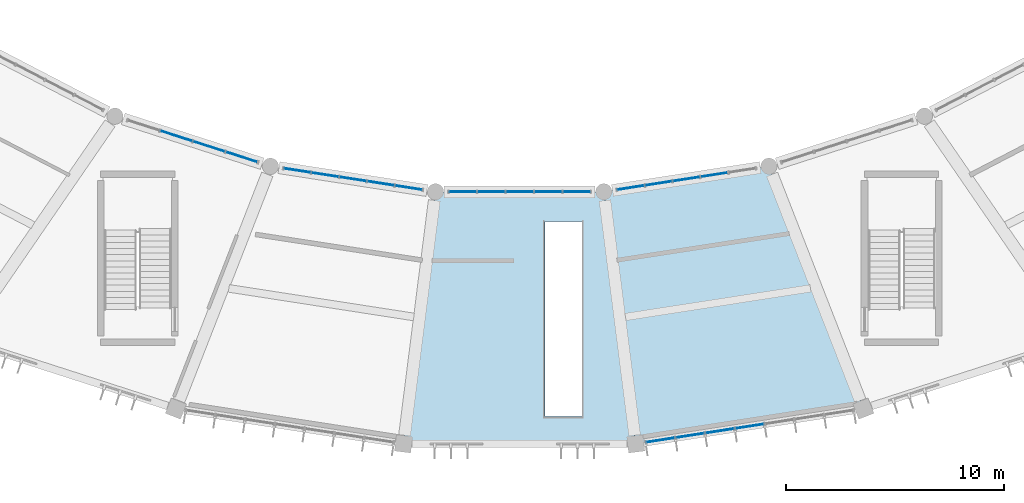
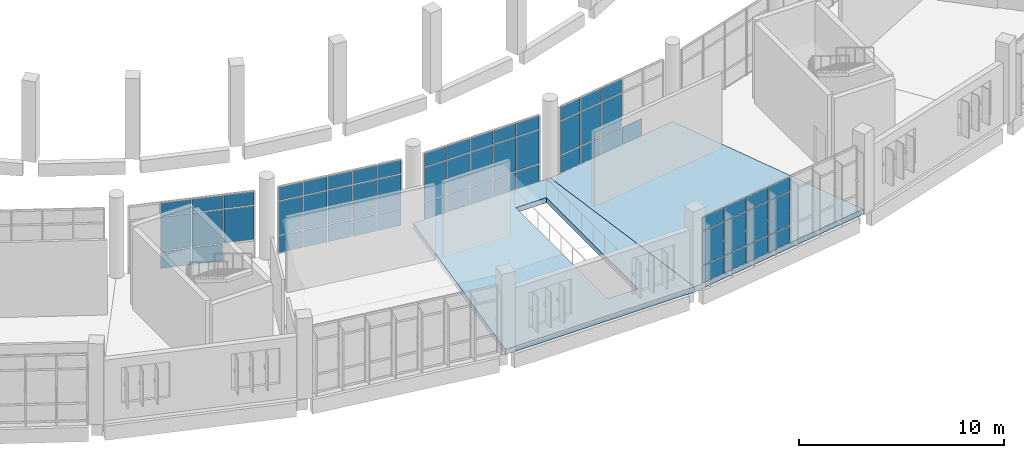
# One storey, part 87 of 179: 60 plates, 2 slabs, 5 elements without a shape of their own.
"""IFC4 building model written with IfcOpenShell, lengths in metres."""

from ifc_helpers import new_model, si_unit, direction, frame, origin, origin_2d, place, context, subcontext, project, spatial, polyline, rectangle, outline, extrude, material, layer, layer_set, type_object, element, aggregate, save


model = new_model("IFC4")

# Units and contexts
model_context = context("Model", 3, precision=1e-05, world=origin(), true_north=direction((0.0, 1.0)))
body_context = subcontext(model_context, "Body", "Model", "MODEL_VIEW")
ifc_project = project(units=[si_unit("LENGTHUNIT", "METRE"), si_unit("AREAUNIT", "SQUARE_METRE"), si_unit("VOLUMEUNIT", "CUBIC_METRE"), si_unit("PLANEANGLEUNIT", "RADIAN"), si_unit("MASSUNIT", "GRAM", prefix="KILO")], contexts=[model_context])

# Site, building, storey
site_placement = place(None, origin())
site = spatial("IfcSite", under=ifc_project, at=site_placement, CompositionType="ELEMENT")
building_placement = place(site_placement, origin())
building = spatial("IfcBuilding", under=site, at=building_placement, Name="Corvandel Quay Wholesale Market", CompositionType="ELEMENT")
storey_placement = place(building_placement, frame((0.0, 0.0, 6.0)))
storey = spatial("IfcBuildingStorey", under=building, at=storey_placement, Name="L01", CompositionType="ELEMENT", Elevation=6.0)

# Curtain wall, plates
ifc_material_1 = material(Name="Bronze anodised aluminium and low-E insulated glazing", Category="aluminium")
ifc_layer_1 = layer(ifc_material_1, 0.174072265625)
ifc_layer_set_1 = layer_set([ifc_layer_1], Name="Bronze anodised aluminium and low-E insulated glazing")
curtain_wall_type_1 = type_object("IfcCurtainWallType", Name="Stick Curtain Wall System CW12 H4080", PredefinedType="NOTDEFINED", material=ifc_layer_set_1)
curtain_wall_1_placement = place(storey_placement, origin())
curtain_wall_1 = element("IfcCurtainWall", 1, at=curtain_wall_1_placement, inside=storey, type_object=curtain_wall_type_1, Name="Curtain Wall CW-0064", PredefinedType="NOTDEFINED")
ifc_material_2 = material(Name="Solar-control low-E insulated glazing", Category="glass")
ifc_layer_2 = layer(ifc_material_2, 0.0400390625)
ifc_layer_set_2 = layer_set([ifc_layer_2], Name="Solar-control low-E insulated glazing")
plate_type_1 = type_object("IfcPlateType", Name="Ceramic Fritted Spandrel Panel PN03 40mm", PredefinedType="CURTAIN_PANEL", material=ifc_layer_set_2)
plate_1_placement = place(storey_placement, frame((98.270263671875, 14.10888671875, 3.1298828125), z_axis=(0.0, 0.0, 1.0), x_axis=(-0.951808747363, 0.306692204733, 0.0)))
plate_1 = element("IfcPlate", 2, at=plate_1_placement, type_object=plate_type_1, Name="Glazing Panel CW-0064-P01-2", PredefinedType="CURTAIN_PANEL", context=body_context, shape_type="SweptSolid", body=[
    extrude(rectangle(XDim=1.506103515625, YDim=0.0400390625, at=origin_2d()), origin(), (0.0, 0.0, 1.0), 0.7900390625),
])
plate_2_placement = place(storey_placement, frame((99.765625, 13.626953125, 3.1298828125), z_axis=(0.0, 0.0, 1.0), x_axis=(-0.951808747363, 0.306692204733, 0.0)))
plate_2 = element("IfcPlate", 3, at=plate_2_placement, type_object=plate_type_1, Name="Glazing Panel CW-0064-P02-2", PredefinedType="CURTAIN_PANEL", context=body_context, shape_type="SweptSolid", body=[
    extrude(rectangle(XDim=1.506103515625, YDim=0.0400390625, at=origin_2d()), origin(), (0.0, 0.0, 1.0), 0.7900390625),
])
plate_3_placement = place(storey_placement, frame((101.26123046875, 13.14501953125, 3.1298828125), z_axis=(0.0, 0.0, 1.0), x_axis=(-0.951808747363, 0.306692204733, 0.0)))
plate_3 = element("IfcPlate", 4, at=plate_3_placement, type_object=plate_type_1, Name="Glazing Panel CW-0064-P03-2", PredefinedType="CURTAIN_PANEL", context=body_context, shape_type="SweptSolid", body=[
    extrude(rectangle(XDim=1.506103515625, YDim=0.0400390625, at=origin_2d()), origin(), (0.0, 0.0, 1.0), 0.7900390625),
])

ifc_layer_3 = layer(ifc_material_1, 0.18603515625)
ifc_layer_set_3 = layer_set([ifc_layer_3], Name="Bronze anodised aluminium and low-E insulated glazing")
curtain_wall_type_2 = type_object("IfcCurtainWallType", Name="Stick Curtain Wall System CW13 H4170", PredefinedType="NOTDEFINED", material=ifc_layer_set_3)
curtain_wall_2_placement = place(storey_placement, origin())
curtain_wall_2 = element("IfcCurtainWall", 5, at=curtain_wall_2_placement, inside=storey, type_object=curtain_wall_type_2, Name="Curtain Wall CW-0067", PredefinedType="NOTDEFINED")
plate_4_placement = place(storey_placement, frame((103.810791015625, 12.529541015625, 3.1298828125), z_axis=(0.0, 0.0, 1.0), x_axis=(-0.98825506746, 0.152813355565, 0.0)))
plate_4 = element("IfcPlate", 6, at=plate_4_placement, type_object=plate_type_1, Name="Glazing Panel CW-0067-P00-2", PredefinedType="CURTAIN_PANEL", context=body_context, shape_type="SweptSolid", body=[
    extrude(rectangle(XDim=1.225830078125, YDim=0.0400390625, at=origin_2d()), origin(), (0.0, 0.0, 1.0), 0.7900390625),
])
plate_5_placement = place(storey_placement, frame((105.08642578125, 12.332275390625, 3.1298828125), z_axis=(0.0, 0.0, 1.0), x_axis=(-0.98825506746, 0.152813355565, 0.0)))
plate_5 = element("IfcPlate", 7, at=plate_5_placement, type_object=plate_type_1, Name="Glazing Panel CW-0067-P01-2", PredefinedType="CURTAIN_PANEL", context=body_context, shape_type="SweptSolid", body=[
    extrude(rectangle(XDim=1.225830078125, YDim=0.0400390625, at=origin_2d()), origin(), (0.0, 0.0, 1.0), 0.7900390625),
])
plate_6_placement = place(storey_placement, frame((106.362060546875, 12.135009765625, 3.1298828125), z_axis=(0.0, 0.0, 1.0), x_axis=(-0.98825506746, 0.152813355565, 0.0)))
plate_6 = element("IfcPlate", 8, at=plate_6_placement, type_object=plate_type_1, Name="Glazing Panel CW-0067-P02-2", PredefinedType="CURTAIN_PANEL", context=body_context, shape_type="SweptSolid", body=[
    extrude(rectangle(XDim=1.225830078125, YDim=0.0400390625, at=origin_2d()), origin(), (0.0, 0.0, 1.0), 0.7900390625),
])
plate_7_placement = place(storey_placement, frame((107.6376953125, 11.937744140625, 3.1298828125), z_axis=(0.0, 0.0, 1.0), x_axis=(-0.98825506746, 0.152813355565, 0.0)))
plate_7 = element("IfcPlate", 9, at=plate_7_placement, type_object=plate_type_1, Name="Glazing Panel CW-0067-P03-2", PredefinedType="CURTAIN_PANEL", context=body_context, shape_type="SweptSolid", body=[
    extrude(rectangle(XDim=1.225830078125, YDim=0.0400390625, at=origin_2d()), origin(), (0.0, 0.0, 1.0), 0.7900390625),
])
plate_8_placement = place(storey_placement, frame((108.9130859375, 11.740478515625, 3.1298828125), z_axis=(0.0, 0.0, 1.0), x_axis=(-0.98825506746, 0.152813355565, 0.0)))
plate_8 = element("IfcPlate", 10, at=plate_8_placement, type_object=plate_type_1, Name="Glazing Panel CW-0067-P04-2", PredefinedType="CURTAIN_PANEL", context=body_context, shape_type="SweptSolid", body=[
    extrude(rectangle(XDim=1.225830078125, YDim=0.0400390625, at=origin_2d()), origin(), (0.0, 0.0, 1.0), 0.7900390625),
])

ifc_layer_4 = layer(ifc_material_1, 0.197998046875)
ifc_layer_set_4 = layer_set([ifc_layer_4], Name="Bronze anodised aluminium and low-E insulated glazing")
curtain_wall_type_3 = type_object("IfcCurtainWallType", Name="Stick Curtain Wall System CW14 H4260", PredefinedType="NOTDEFINED", material=ifc_layer_set_4)
curtain_wall_3_placement = place(storey_placement, origin())
curtain_wall_3 = element("IfcCurtainWall", 11, at=curtain_wall_3_placement, inside=storey, type_object=curtain_wall_type_3, Name="Curtain Wall CW-0069", PredefinedType="NOTDEFINED")
plate_9_placement = place(storey_placement, frame((111.395263671875, 11.550048828125, 3.1298828125), z_axis=(0.0, 0.0, 1.0), x_axis=(1.0, 0.0, 0.0)))
plate_9 = element("IfcPlate", 12, at=plate_9_placement, type_object=plate_type_1, Name="Glazing Panel CW-0069-P00-2", PredefinedType="CURTAIN_PANEL", context=body_context, shape_type="SweptSolid", body=[
    extrude(rectangle(XDim=1.2373046875, YDim=0.0400390625, at=origin_2d()), origin(), (0.0, 0.0, 1.0), 0.7900390625),
])
plate_10_placement = place(storey_placement, frame((112.697509765625, 11.550048828125, 3.1298828125), z_axis=(0.0, 0.0, 1.0), x_axis=(1.0, 0.0, 0.0)))
plate_10 = element("IfcPlate", 13, at=plate_10_placement, type_object=plate_type_1, Name="Glazing Panel CW-0069-P01-2", PredefinedType="CURTAIN_PANEL", context=body_context, shape_type="SweptSolid", body=[
    extrude(rectangle(XDim=1.2373046875, YDim=0.0400390625, at=origin_2d()), origin(), (0.0, 0.0, 1.0), 0.7900390625),
])
plate_11_placement = place(storey_placement, frame((114.0, 11.550048828125, 3.1298828125), z_axis=(0.0, 0.0, 1.0), x_axis=(1.0, 0.0, 0.0)))
plate_11 = element("IfcPlate", 14, at=plate_11_placement, type_object=plate_type_1, Name="Glazing Panel CW-0069-P02-2", PredefinedType="CURTAIN_PANEL", context=body_context, shape_type="SweptSolid", body=[
    extrude(rectangle(XDim=1.2373046875, YDim=0.0400390625, at=origin_2d()), origin(), (0.0, 0.0, 1.0), 0.7900390625),
])
plate_12_placement = place(storey_placement, frame((115.302490234375, 11.550048828125, 3.1298828125), z_axis=(0.0, 0.0, 1.0), x_axis=(1.0, 0.0, 0.0)))
plate_12 = element("IfcPlate", 15, at=plate_12_placement, type_object=plate_type_1, Name="Glazing Panel CW-0069-P03-2", PredefinedType="CURTAIN_PANEL", context=body_context, shape_type="SweptSolid", body=[
    extrude(rectangle(XDim=1.2373046875, YDim=0.0400390625, at=origin_2d()), origin(), (0.0, 0.0, 1.0), 0.7900390625),
])
plate_13_placement = place(storey_placement, frame((116.604736328125, 11.550048828125, 3.1298828125), z_axis=(0.0, 0.0, 1.0), x_axis=(1.0, 0.0, 0.0)))
plate_13 = element("IfcPlate", 16, at=plate_13_placement, type_object=plate_type_1, Name="Glazing Panel CW-0069-P04-2", PredefinedType="CURTAIN_PANEL", context=body_context, shape_type="SweptSolid", body=[
    extrude(rectangle(XDim=1.2373046875, YDim=0.0400390625, at=origin_2d()), origin(), (0.0, 0.0, 1.0), 0.7900390625),
])

ifc_layer_5 = layer(ifc_material_1, 0.162109375)
ifc_layer_set_5 = layer_set([ifc_layer_5], Name="Bronze anodised aluminium and low-E insulated glazing")
curtain_wall_type_4 = type_object("IfcCurtainWallType", Name="Stick Curtain Wall System CW01 H3090", PredefinedType="NOTDEFINED", material=ifc_layer_set_5)
curtain_wall_4_placement = place(storey_placement, origin())
curtain_wall_4 = element("IfcCurtainWall", 17, at=curtain_wall_4_placement, inside=storey, type_object=curtain_wall_type_4, Name="Curtain Wall CW-0071", PredefinedType="NOTDEFINED")
plate_14_placement = place(storey_placement, frame((120.4453125, 0.17431640625, 3.1298828125), z_axis=(0.0, 0.0, 1.0), x_axis=(0.98825506746, 0.152813355565, 0.0)))
plate_14 = element("IfcPlate", 18, at=plate_14_placement, type_object=plate_type_1, Name="Glazing Panel CW-0071-P00-2", PredefinedType="CURTAIN_PANEL", context=body_context, shape_type="SweptSolid", body=[
    extrude(rectangle(XDim=1.314453125, YDim=0.0400390625, at=origin_2d()), origin(), (0.0, 0.0, 1.0), 0.7900390625),
])
plate_15_placement = place(storey_placement, frame((121.80859375, 0.38525390625, 3.1298828125), z_axis=(0.0, 0.0, 1.0), x_axis=(0.98825506746, 0.152813355565, 0.0)))
plate_15 = element("IfcPlate", 19, at=plate_15_placement, type_object=plate_type_1, Name="Glazing Panel CW-0071-P01-2", PredefinedType="CURTAIN_PANEL", context=body_context, shape_type="SweptSolid", body=[
    extrude(rectangle(XDim=1.314453125, YDim=0.0400390625, at=origin_2d()), origin(), (0.0, 0.0, 1.0), 0.7900390625),
])
plate_16_placement = place(storey_placement, frame((123.171875, 0.59619140625, 3.1298828125), z_axis=(0.0, 0.0, 1.0), x_axis=(0.98825506746, 0.152813355565, 0.0)))
plate_16 = element("IfcPlate", 20, at=plate_16_placement, type_object=plate_type_1, Name="Glazing Panel CW-0071-P02-2", PredefinedType="CURTAIN_PANEL", context=body_context, shape_type="SweptSolid", body=[
    extrude(rectangle(XDim=1.314453125, YDim=0.0400390625, at=origin_2d()), origin(), (0.0, 0.0, 1.0), 0.7900390625),
])
plate_17_placement = place(storey_placement, frame((124.534912109375, 0.806884765625, 3.1298828125), z_axis=(0.0, 0.0, 1.0), x_axis=(0.98825506746, 0.152813355565, 0.0)))
plate_17 = element("IfcPlate", 21, at=plate_17_placement, type_object=plate_type_1, Name="Glazing Panel CW-0071-P03-2", PredefinedType="CURTAIN_PANEL", context=body_context, shape_type="SweptSolid", body=[
    extrude(rectangle(XDim=1.314453125, YDim=0.0400390625, at=origin_2d()), origin(), (0.0, 0.0, 1.0), 0.7900390625),
])

ifc_layer_6 = layer(ifc_material_1, 0.14990234375)
ifc_layer_set_6 = layer_set([ifc_layer_6], Name="Bronze anodised aluminium and low-E insulated glazing")
curtain_wall_type_5 = type_object("IfcCurtainWallType", Name="Stick Curtain Wall System CW15 H4350", PredefinedType="NOTDEFINED", material=ifc_layer_set_6)
curtain_wall_5_placement = place(storey_placement, origin())
curtain_wall_5 = element("IfcCurtainWall", 22, at=curtain_wall_5_placement, inside=storey, type_object=curtain_wall_type_5, Name="Curtain Wall CW-0073", PredefinedType="NOTDEFINED")
plate_18_placement = place(storey_placement, frame((119.0869140625, 11.740478515625, 3.1298828125), z_axis=(0.0, 0.0, 1.0), x_axis=(0.98825506746, 0.152813355565, 0.0)))
plate_18 = element("IfcPlate", 23, at=plate_18_placement, type_object=plate_type_1, Name="Glazing Panel CW-0073-P00-2", PredefinedType="CURTAIN_PANEL", context=body_context, shape_type="SweptSolid", body=[
    extrude(rectangle(XDim=1.225830078125, YDim=0.0400390625, at=origin_2d()), origin(), (0.0, 0.0, 1.0), 0.7900390625),
])
plate_19_placement = place(storey_placement, frame((120.3623046875, 11.937744140625, 3.1298828125), z_axis=(0.0, 0.0, 1.0), x_axis=(0.98825506746, 0.152813355565, 0.0)))
plate_19 = element("IfcPlate", 24, at=plate_19_placement, type_object=plate_type_1, Name="Glazing Panel CW-0073-P01-2", PredefinedType="CURTAIN_PANEL", context=body_context, shape_type="SweptSolid", body=[
    extrude(rectangle(XDim=1.225830078125, YDim=0.0400390625, at=origin_2d()), origin(), (0.0, 0.0, 1.0), 0.7900390625),
])
plate_20_placement = place(storey_placement, frame((121.637939453125, 12.135009765625, 3.1298828125), z_axis=(0.0, 0.0, 1.0), x_axis=(0.98825506746, 0.152813355565, 0.0)))
plate_20 = element("IfcPlate", 25, at=plate_20_placement, type_object=plate_type_1, Name="Glazing Panel CW-0073-P02-2", PredefinedType="CURTAIN_PANEL", context=body_context, shape_type="SweptSolid", body=[
    extrude(rectangle(XDim=1.225830078125, YDim=0.0400390625, at=origin_2d()), origin(), (0.0, 0.0, 1.0), 0.7900390625),
])

# Slabs
ifc_material_3 = material(Name="Concrete C40/50", Category="concrete")
ifc_layer_7 = layer(ifc_material_3, 0.300048828125)
ifc_layer_set_7 = layer_set([ifc_layer_7], Name="Concrete C40/50")
slab_type = type_object("IfcSlabType", Name="Composite Trading Gallery Floor Slab 300", PredefinedType="FLOOR", material=ifc_layer_set_7)
slab_1_placement = place(storey_placement, frame((0.0, 0.0, -0.300048828125)))
element("IfcSlab", 26, at=slab_1_placement, inside=storey, type_object=slab_type, Name="Slab SLB-0112", PredefinedType="FLOOR", context=body_context, shape_type="SweptSolid", body=[
    extrude(outline(polyline([(110.14404296875, 11.550048828125), (117.85595703125, 11.550048828125), (119.319091796875, 0.0), (108.680908203125, 0.0), (110.14404296875, 11.550048828125)]), holes=[polyline([(116.85009765625, 1.25), (116.85009765625, 10.179931640625), (115.14990234375, 10.179931640625), (115.14990234375, 1.25), (116.85009765625, 1.25)])]), origin(), (0.0, 0.0, 1.0), 0.300048828125),
])
slab_2_placement = place(storey_placement, frame((0.0, 0.0, -0.300048828125)))
element("IfcSlab", 27, at=slab_2_placement, inside=storey, type_object=slab_type, Name="Slab SLB-0116", PredefinedType="FLOOR", context=body_context, shape_type="SweptSolid", body=[
    extrude(outline(polyline([(117.85595703125, 11.550048828125), (125.419921875, 12.719970703125), (129.7509765625, 1.614013671875), (119.319091796875, 0.0), (117.85595703125, 11.550048828125)])), origin(), (0.0, 0.0, 1.0), 0.300048828125),
])

# Plate
ifc_layer_8 = layer(ifc_material_2, 0.028076171875)
ifc_layer_set_8 = layer_set([ifc_layer_8], Name="Solar-control low-E insulated glazing")
plate_type_2 = type_object("IfcPlateType", Name="Double Low-E Vision Panel PN01 28mm", PredefinedType="CURTAIN_PANEL", material=ifc_layer_set_8)
plate_21_placement = place(storey_placement, frame((98.270263671875, 14.10888671875, 0.02978515625), z_axis=(0.0, 0.0, 1.0), x_axis=(-0.951808747363, 0.306692204733, 0.0)))
plate_21 = element("IfcPlate", 28, at=plate_21_placement, type_object=plate_type_2, Name="Glazing Panel CW-0064-P01-0", PredefinedType="CURTAIN_PANEL", context=body_context, shape_type="SweptSolid", body=[
    extrude(rectangle(XDim=1.506103515625, YDim=0.028076171875, at=origin_2d()), origin(), (0.0, 0.0, 1.0), 0.989990234375),
])

plate_22_placement = place(storey_placement, frame((98.270263671875, 14.10888671875, 1.080078125), z_axis=(0.0, 0.0, 1.0), x_axis=(-0.951808747363, 0.306692204733, 0.0)))
plate_22 = element("IfcPlate", 29, at=plate_22_placement, type_object=plate_type_2, Name="Glazing Panel CW-0064-P01-1", PredefinedType="CURTAIN_PANEL", context=body_context, shape_type="SweptSolid", body=[
    extrude(rectangle(XDim=1.506103515625, YDim=0.028076171875, at=origin_2d()), origin(), (0.0, 0.0, 1.0), 1.989990234375),
])

plate_23_placement = place(storey_placement, frame((99.765625, 13.626953125, 0.02978515625), z_axis=(0.0, 0.0, 1.0), x_axis=(-0.951808747363, 0.306692204733, 0.0)))
plate_23 = element("IfcPlate", 30, at=plate_23_placement, type_object=plate_type_2, Name="Glazing Panel CW-0064-P02-0", PredefinedType="CURTAIN_PANEL", context=body_context, shape_type="SweptSolid", body=[
    extrude(rectangle(XDim=1.506103515625, YDim=0.028076171875, at=origin_2d()), origin(), (0.0, 0.0, 1.0), 0.989990234375),
])

plate_24_placement = place(storey_placement, frame((99.765625, 13.626953125, 1.080078125), z_axis=(0.0, 0.0, 1.0), x_axis=(-0.951808747363, 0.306692204733, 0.0)))
plate_24 = element("IfcPlate", 31, at=plate_24_placement, type_object=plate_type_2, Name="Glazing Panel CW-0064-P02-1", PredefinedType="CURTAIN_PANEL", context=body_context, shape_type="SweptSolid", body=[
    extrude(rectangle(XDim=1.506103515625, YDim=0.028076171875, at=origin_2d()), origin(), (0.0, 0.0, 1.0), 1.989990234375),
])

plate_25_placement = place(storey_placement, frame((101.26123046875, 13.14501953125, 1.080078125), z_axis=(0.0, 0.0, 1.0), x_axis=(-0.951808747363, 0.306692204733, 0.0)))
plate_25 = element("IfcPlate", 32, at=plate_25_placement, type_object=plate_type_2, Name="Glazing Panel CW-0064-P03-1", PredefinedType="CURTAIN_PANEL", context=body_context, shape_type="SweptSolid", body=[
    extrude(rectangle(XDim=1.506103515625, YDim=0.028076171875, at=origin_2d()), origin(), (0.0, 0.0, 1.0), 1.989990234375),
])

aggregate(curtain_wall_1, [plate_21, plate_22, plate_1, plate_23, plate_24, plate_2, plate_25, plate_3])

plate_26_placement = place(storey_placement, frame((103.810791015625, 12.529541015625, 0.02978515625), z_axis=(0.0, 0.0, 1.0), x_axis=(-0.98825506746, 0.152813355565, 0.0)))
plate_26 = element("IfcPlate", 33, at=plate_26_placement, type_object=plate_type_2, Name="Glazing Panel CW-0067-P00-0", PredefinedType="CURTAIN_PANEL", context=body_context, shape_type="SweptSolid", body=[
    extrude(rectangle(XDim=1.225830078125, YDim=0.028076171875, at=origin_2d()), origin(), (0.0, 0.0, 1.0), 0.989990234375),
])

plate_27_placement = place(storey_placement, frame((103.810791015625, 12.529541015625, 1.080078125), z_axis=(0.0, 0.0, 1.0), x_axis=(-0.98825506746, 0.152813355565, 0.0)))
plate_27 = element("IfcPlate", 34, at=plate_27_placement, type_object=plate_type_2, Name="Glazing Panel CW-0067-P00-1", PredefinedType="CURTAIN_PANEL", context=body_context, shape_type="SweptSolid", body=[
    extrude(rectangle(XDim=1.225830078125, YDim=0.028076171875, at=origin_2d()), origin(), (0.0, 0.0, 1.0), 1.989990234375),
])

plate_28_placement = place(storey_placement, frame((105.08642578125, 12.332275390625, 0.02978515625), z_axis=(0.0, 0.0, 1.0), x_axis=(-0.98825506746, 0.152813355565, 0.0)))
plate_28 = element("IfcPlate", 35, at=plate_28_placement, type_object=plate_type_2, Name="Glazing Panel CW-0067-P01-0", PredefinedType="CURTAIN_PANEL", context=body_context, shape_type="SweptSolid", body=[
    extrude(rectangle(XDim=1.225830078125, YDim=0.028076171875, at=origin_2d()), origin(), (0.0, 0.0, 1.0), 0.989990234375),
])

plate_29_placement = place(storey_placement, frame((105.08642578125, 12.332275390625, 1.080078125), z_axis=(0.0, 0.0, 1.0), x_axis=(-0.98825506746, 0.152813355565, 0.0)))
plate_29 = element("IfcPlate", 36, at=plate_29_placement, type_object=plate_type_2, Name="Glazing Panel CW-0067-P01-1", PredefinedType="CURTAIN_PANEL", context=body_context, shape_type="SweptSolid", body=[
    extrude(rectangle(XDim=1.225830078125, YDim=0.028076171875, at=origin_2d()), origin(), (0.0, 0.0, 1.0), 1.989990234375),
])

plate_30_placement = place(storey_placement, frame((106.362060546875, 12.135009765625, 0.02978515625), z_axis=(0.0, 0.0, 1.0), x_axis=(-0.98825506746, 0.152813355565, 0.0)))
plate_30 = element("IfcPlate", 37, at=plate_30_placement, type_object=plate_type_2, Name="Glazing Panel CW-0067-P02-0", PredefinedType="CURTAIN_PANEL", context=body_context, shape_type="SweptSolid", body=[
    extrude(rectangle(XDim=1.225830078125, YDim=0.028076171875, at=origin_2d()), origin(), (0.0, 0.0, 1.0), 0.989990234375),
])

plate_31_placement = place(storey_placement, frame((106.362060546875, 12.135009765625, 1.080078125), z_axis=(0.0, 0.0, 1.0), x_axis=(-0.98825506746, 0.152813355565, 0.0)))
plate_31 = element("IfcPlate", 38, at=plate_31_placement, type_object=plate_type_2, Name="Glazing Panel CW-0067-P02-1", PredefinedType="CURTAIN_PANEL", context=body_context, shape_type="SweptSolid", body=[
    extrude(rectangle(XDim=1.225830078125, YDim=0.028076171875, at=origin_2d()), origin(), (0.0, 0.0, 1.0), 1.989990234375),
])

plate_32_placement = place(storey_placement, frame((107.6376953125, 11.937744140625, 0.02978515625), z_axis=(0.0, 0.0, 1.0), x_axis=(-0.98825506746, 0.152813355565, 0.0)))
plate_32 = element("IfcPlate", 39, at=plate_32_placement, type_object=plate_type_2, Name="Glazing Panel CW-0067-P03-0", PredefinedType="CURTAIN_PANEL", context=body_context, shape_type="SweptSolid", body=[
    extrude(rectangle(XDim=1.225830078125, YDim=0.028076171875, at=origin_2d()), origin(), (0.0, 0.0, 1.0), 0.989990234375),
])

plate_33_placement = place(storey_placement, frame((107.6376953125, 11.937744140625, 1.080078125), z_axis=(0.0, 0.0, 1.0), x_axis=(-0.98825506746, 0.152813355565, 0.0)))
plate_33 = element("IfcPlate", 40, at=plate_33_placement, type_object=plate_type_2, Name="Glazing Panel CW-0067-P03-1", PredefinedType="CURTAIN_PANEL", context=body_context, shape_type="SweptSolid", body=[
    extrude(rectangle(XDim=1.225830078125, YDim=0.028076171875, at=origin_2d()), origin(), (0.0, 0.0, 1.0), 1.989990234375),
])

plate_34_placement = place(storey_placement, frame((108.9130859375, 11.740478515625, 0.02978515625), z_axis=(0.0, 0.0, 1.0), x_axis=(-0.98825506746, 0.152813355565, 0.0)))
plate_34 = element("IfcPlate", 41, at=plate_34_placement, type_object=plate_type_2, Name="Glazing Panel CW-0067-P04-0", PredefinedType="CURTAIN_PANEL", context=body_context, shape_type="SweptSolid", body=[
    extrude(rectangle(XDim=1.225830078125, YDim=0.028076171875, at=origin_2d()), origin(), (0.0, 0.0, 1.0), 0.989990234375),
])

plate_35_placement = place(storey_placement, frame((108.9130859375, 11.740478515625, 1.080078125), z_axis=(0.0, 0.0, 1.0), x_axis=(-0.98825506746, 0.152813355565, 0.0)))
plate_35 = element("IfcPlate", 42, at=plate_35_placement, type_object=plate_type_2, Name="Glazing Panel CW-0067-P04-1", PredefinedType="CURTAIN_PANEL", context=body_context, shape_type="SweptSolid", body=[
    extrude(rectangle(XDim=1.225830078125, YDim=0.028076171875, at=origin_2d()), origin(), (0.0, 0.0, 1.0), 1.989990234375),
])

aggregate(curtain_wall_2, [plate_26, plate_27, plate_4, plate_28, plate_29, plate_5, plate_30, plate_31, plate_6, plate_32, plate_33, plate_7, plate_34, plate_35, plate_8])

plate_36_placement = place(storey_placement, frame((111.395263671875, 11.550048828125, 0.02978515625), z_axis=(0.0, 0.0, 1.0), x_axis=(1.0, 0.0, 0.0)))
plate_36 = element("IfcPlate", 43, at=plate_36_placement, type_object=plate_type_2, Name="Glazing Panel CW-0069-P00-0", PredefinedType="CURTAIN_PANEL", context=body_context, shape_type="SweptSolid", body=[
    extrude(rectangle(XDim=1.2373046875, YDim=0.028076171875, at=origin_2d()), origin(), (0.0, 0.0, 1.0), 0.989990234375),
])

plate_37_placement = place(storey_placement, frame((111.395263671875, 11.550048828125, 1.080078125), z_axis=(0.0, 0.0, 1.0), x_axis=(1.0, 0.0, 0.0)))
plate_37 = element("IfcPlate", 44, at=plate_37_placement, type_object=plate_type_2, Name="Glazing Panel CW-0069-P00-1", PredefinedType="CURTAIN_PANEL", context=body_context, shape_type="SweptSolid", body=[
    extrude(rectangle(XDim=1.2373046875, YDim=0.028076171875, at=origin_2d()), origin(), (0.0, 0.0, 1.0), 1.989990234375),
])

plate_38_placement = place(storey_placement, frame((112.697509765625, 11.550048828125, 0.02978515625), z_axis=(0.0, 0.0, 1.0), x_axis=(1.0, 0.0, 0.0)))
plate_38 = element("IfcPlate", 45, at=plate_38_placement, type_object=plate_type_2, Name="Glazing Panel CW-0069-P01-0", PredefinedType="CURTAIN_PANEL", context=body_context, shape_type="SweptSolid", body=[
    extrude(rectangle(XDim=1.2373046875, YDim=0.028076171875, at=origin_2d()), origin(), (0.0, 0.0, 1.0), 0.989990234375),
])

plate_39_placement = place(storey_placement, frame((112.697509765625, 11.550048828125, 1.080078125), z_axis=(0.0, 0.0, 1.0), x_axis=(1.0, 0.0, 0.0)))
plate_39 = element("IfcPlate", 46, at=plate_39_placement, type_object=plate_type_2, Name="Glazing Panel CW-0069-P01-1", PredefinedType="CURTAIN_PANEL", context=body_context, shape_type="SweptSolid", body=[
    extrude(rectangle(XDim=1.2373046875, YDim=0.028076171875, at=origin_2d()), origin(), (0.0, 0.0, 1.0), 1.989990234375),
])

plate_40_placement = place(storey_placement, frame((114.0, 11.550048828125, 0.02978515625), z_axis=(0.0, 0.0, 1.0), x_axis=(1.0, 0.0, 0.0)))
plate_40 = element("IfcPlate", 47, at=plate_40_placement, type_object=plate_type_2, Name="Glazing Panel CW-0069-P02-0", PredefinedType="CURTAIN_PANEL", context=body_context, shape_type="SweptSolid", body=[
    extrude(rectangle(XDim=1.2373046875, YDim=0.028076171875, at=origin_2d()), origin(), (0.0, 0.0, 1.0), 0.989990234375),
])

plate_41_placement = place(storey_placement, frame((114.0, 11.550048828125, 1.080078125), z_axis=(0.0, 0.0, 1.0), x_axis=(1.0, 0.0, 0.0)))
plate_41 = element("IfcPlate", 48, at=plate_41_placement, type_object=plate_type_2, Name="Glazing Panel CW-0069-P02-1", PredefinedType="CURTAIN_PANEL", context=body_context, shape_type="SweptSolid", body=[
    extrude(rectangle(XDim=1.2373046875, YDim=0.028076171875, at=origin_2d()), origin(), (0.0, 0.0, 1.0), 1.989990234375),
])

plate_42_placement = place(storey_placement, frame((115.302490234375, 11.550048828125, 0.02978515625), z_axis=(0.0, 0.0, 1.0), x_axis=(1.0, 0.0, 0.0)))
plate_42 = element("IfcPlate", 49, at=plate_42_placement, type_object=plate_type_2, Name="Glazing Panel CW-0069-P03-0", PredefinedType="CURTAIN_PANEL", context=body_context, shape_type="SweptSolid", body=[
    extrude(rectangle(XDim=1.2373046875, YDim=0.028076171875, at=origin_2d()), origin(), (0.0, 0.0, 1.0), 0.989990234375),
])

plate_43_placement = place(storey_placement, frame((115.302490234375, 11.550048828125, 1.080078125), z_axis=(0.0, 0.0, 1.0), x_axis=(1.0, 0.0, 0.0)))
plate_43 = element("IfcPlate", 50, at=plate_43_placement, type_object=plate_type_2, Name="Glazing Panel CW-0069-P03-1", PredefinedType="CURTAIN_PANEL", context=body_context, shape_type="SweptSolid", body=[
    extrude(rectangle(XDim=1.2373046875, YDim=0.028076171875, at=origin_2d()), origin(), (0.0, 0.0, 1.0), 1.989990234375),
])

plate_44_placement = place(storey_placement, frame((116.604736328125, 11.550048828125, 0.02978515625), z_axis=(0.0, 0.0, 1.0), x_axis=(1.0, 0.0, 0.0)))
plate_44 = element("IfcPlate", 51, at=plate_44_placement, type_object=plate_type_2, Name="Glazing Panel CW-0069-P04-0", PredefinedType="CURTAIN_PANEL", context=body_context, shape_type="SweptSolid", body=[
    extrude(rectangle(XDim=1.2373046875, YDim=0.028076171875, at=origin_2d()), origin(), (0.0, 0.0, 1.0), 0.989990234375),
])

plate_45_placement = place(storey_placement, frame((116.604736328125, 11.550048828125, 1.080078125), z_axis=(0.0, 0.0, 1.0), x_axis=(1.0, 0.0, 0.0)))
plate_45 = element("IfcPlate", 52, at=plate_45_placement, type_object=plate_type_2, Name="Glazing Panel CW-0069-P04-1", PredefinedType="CURTAIN_PANEL", context=body_context, shape_type="SweptSolid", body=[
    extrude(rectangle(XDim=1.2373046875, YDim=0.028076171875, at=origin_2d()), origin(), (0.0, 0.0, 1.0), 1.989990234375),
])

aggregate(curtain_wall_3, [plate_36, plate_37, plate_9, plate_38, plate_39, plate_10, plate_40, plate_41, plate_11, plate_42, plate_43, plate_12, plate_44, plate_45, plate_13])

plate_46_placement = place(storey_placement, frame((120.4453125, 0.17431640625, 0.02978515625), z_axis=(0.0, 0.0, 1.0), x_axis=(0.98825506746, 0.152813355565, 0.0)))
plate_46 = element("IfcPlate", 53, at=plate_46_placement, type_object=plate_type_2, Name="Glazing Panel CW-0071-P00-0", PredefinedType="CURTAIN_PANEL", context=body_context, shape_type="SweptSolid", body=[
    extrude(rectangle(XDim=1.314453125, YDim=0.028076171875, at=origin_2d()), origin(), (0.0, 0.0, 1.0), 0.989990234375),
])

plate_47_placement = place(storey_placement, frame((120.4453125, 0.17431640625, 1.080078125), z_axis=(0.0, 0.0, 1.0), x_axis=(0.98825506746, 0.152813355565, 0.0)))
plate_47 = element("IfcPlate", 54, at=plate_47_placement, type_object=plate_type_2, Name="Glazing Panel CW-0071-P00-1", PredefinedType="CURTAIN_PANEL", context=body_context, shape_type="SweptSolid", body=[
    extrude(rectangle(XDim=1.314453125, YDim=0.028076171875, at=origin_2d()), origin(), (0.0, 0.0, 1.0), 1.989990234375),
])

plate_48_placement = place(storey_placement, frame((121.80859375, 0.38525390625, 0.02978515625), z_axis=(0.0, 0.0, 1.0), x_axis=(0.98825506746, 0.152813355565, 0.0)))
plate_48 = element("IfcPlate", 55, at=plate_48_placement, type_object=plate_type_2, Name="Glazing Panel CW-0071-P01-0", PredefinedType="CURTAIN_PANEL", context=body_context, shape_type="SweptSolid", body=[
    extrude(rectangle(XDim=1.314453125, YDim=0.028076171875, at=origin_2d()), origin(), (0.0, 0.0, 1.0), 0.989990234375),
])

plate_49_placement = place(storey_placement, frame((121.80859375, 0.38525390625, 1.080078125), z_axis=(0.0, 0.0, 1.0), x_axis=(0.98825506746, 0.152813355565, 0.0)))
plate_49 = element("IfcPlate", 56, at=plate_49_placement, type_object=plate_type_2, Name="Glazing Panel CW-0071-P01-1", PredefinedType="CURTAIN_PANEL", context=body_context, shape_type="SweptSolid", body=[
    extrude(rectangle(XDim=1.314453125, YDim=0.028076171875, at=origin_2d()), origin(), (0.0, 0.0, 1.0), 1.989990234375),
])

plate_50_placement = place(storey_placement, frame((123.171875, 0.59619140625, 0.02978515625), z_axis=(0.0, 0.0, 1.0), x_axis=(0.98825506746, 0.152813355565, 0.0)))
plate_50 = element("IfcPlate", 57, at=plate_50_placement, type_object=plate_type_2, Name="Glazing Panel CW-0071-P02-0", PredefinedType="CURTAIN_PANEL", context=body_context, shape_type="SweptSolid", body=[
    extrude(rectangle(XDim=1.314453125, YDim=0.028076171875, at=origin_2d()), origin(), (0.0, 0.0, 1.0), 0.989990234375),
])

plate_51_placement = place(storey_placement, frame((123.171875, 0.59619140625, 1.080078125), z_axis=(0.0, 0.0, 1.0), x_axis=(0.98825506746, 0.152813355565, 0.0)))
plate_51 = element("IfcPlate", 58, at=plate_51_placement, type_object=plate_type_2, Name="Glazing Panel CW-0071-P02-1", PredefinedType="CURTAIN_PANEL", context=body_context, shape_type="SweptSolid", body=[
    extrude(rectangle(XDim=1.314453125, YDim=0.028076171875, at=origin_2d()), origin(), (0.0, 0.0, 1.0), 1.989990234375),
])

plate_52_placement = place(storey_placement, frame((124.534912109375, 0.806884765625, 0.02978515625), z_axis=(0.0, 0.0, 1.0), x_axis=(0.98825506746, 0.152813355565, 0.0)))
plate_52 = element("IfcPlate", 59, at=plate_52_placement, type_object=plate_type_2, Name="Glazing Panel CW-0071-P03-0", PredefinedType="CURTAIN_PANEL", context=body_context, shape_type="SweptSolid", body=[
    extrude(rectangle(XDim=1.314453125, YDim=0.028076171875, at=origin_2d()), origin(), (0.0, 0.0, 1.0), 0.989990234375),
])

plate_53_placement = place(storey_placement, frame((124.534912109375, 0.806884765625, 1.080078125), z_axis=(0.0, 0.0, 1.0), x_axis=(0.98825506746, 0.152813355565, 0.0)))
plate_53 = element("IfcPlate", 60, at=plate_53_placement, type_object=plate_type_2, Name="Glazing Panel CW-0071-P03-1", PredefinedType="CURTAIN_PANEL", context=body_context, shape_type="SweptSolid", body=[
    extrude(rectangle(XDim=1.314453125, YDim=0.028076171875, at=origin_2d()), origin(), (0.0, 0.0, 1.0), 1.989990234375),
])

aggregate(curtain_wall_4, [plate_46, plate_47, plate_14, plate_48, plate_49, plate_15, plate_50, plate_51, plate_16, plate_52, plate_53, plate_17])

plate_54_placement = place(storey_placement, frame((119.0869140625, 11.740478515625, 0.02978515625), z_axis=(0.0, 0.0, 1.0), x_axis=(0.98825506746, 0.152813355565, 0.0)))
plate_54 = element("IfcPlate", 61, at=plate_54_placement, type_object=plate_type_2, Name="Glazing Panel CW-0073-P00-0", PredefinedType="CURTAIN_PANEL", context=body_context, shape_type="SweptSolid", body=[
    extrude(rectangle(XDim=1.225830078125, YDim=0.028076171875, at=origin_2d()), origin(), (0.0, 0.0, 1.0), 0.989990234375),
])

plate_55_placement = place(storey_placement, frame((119.0869140625, 11.740478515625, 1.080078125), z_axis=(0.0, 0.0, 1.0), x_axis=(0.98825506746, 0.152813355565, 0.0)))
plate_55 = element("IfcPlate", 62, at=plate_55_placement, type_object=plate_type_2, Name="Glazing Panel CW-0073-P00-1", PredefinedType="CURTAIN_PANEL", context=body_context, shape_type="SweptSolid", body=[
    extrude(rectangle(XDim=1.225830078125, YDim=0.028076171875, at=origin_2d()), origin(), (0.0, 0.0, 1.0), 1.989990234375),
])

plate_56_placement = place(storey_placement, frame((120.3623046875, 11.937744140625, 0.02978515625), z_axis=(0.0, 0.0, 1.0), x_axis=(0.98825506746, 0.152813355565, 0.0)))
plate_56 = element("IfcPlate", 63, at=plate_56_placement, type_object=plate_type_2, Name="Glazing Panel CW-0073-P01-0", PredefinedType="CURTAIN_PANEL", context=body_context, shape_type="SweptSolid", body=[
    extrude(rectangle(XDim=1.225830078125, YDim=0.028076171875, at=origin_2d()), origin(), (0.0, 0.0, 1.0), 0.989990234375),
])

plate_57_placement = place(storey_placement, frame((120.3623046875, 11.937744140625, 1.080078125), z_axis=(0.0, 0.0, 1.0), x_axis=(0.98825506746, 0.152813355565, 0.0)))
plate_57 = element("IfcPlate", 64, at=plate_57_placement, type_object=plate_type_2, Name="Glazing Panel CW-0073-P01-1", PredefinedType="CURTAIN_PANEL", context=body_context, shape_type="SweptSolid", body=[
    extrude(rectangle(XDim=1.225830078125, YDim=0.028076171875, at=origin_2d()), origin(), (0.0, 0.0, 1.0), 1.989990234375),
])

plate_58_placement = place(storey_placement, frame((121.637939453125, 12.135009765625, 0.02978515625), z_axis=(0.0, 0.0, 1.0), x_axis=(0.98825506746, 0.152813355565, 0.0)))
plate_58 = element("IfcPlate", 65, at=plate_58_placement, type_object=plate_type_2, Name="Glazing Panel CW-0073-P02-0", PredefinedType="CURTAIN_PANEL", context=body_context, shape_type="SweptSolid", body=[
    extrude(rectangle(XDim=1.225830078125, YDim=0.028076171875, at=origin_2d()), origin(), (0.0, 0.0, 1.0), 0.989990234375),
])

plate_59_placement = place(storey_placement, frame((121.637939453125, 12.135009765625, 1.080078125), z_axis=(0.0, 0.0, 1.0), x_axis=(0.98825506746, 0.152813355565, 0.0)))
plate_59 = element("IfcPlate", 66, at=plate_59_placement, type_object=plate_type_2, Name="Glazing Panel CW-0073-P02-1", PredefinedType="CURTAIN_PANEL", context=body_context, shape_type="SweptSolid", body=[
    extrude(rectangle(XDim=1.225830078125, YDim=0.028076171875, at=origin_2d()), origin(), (0.0, 0.0, 1.0), 1.989990234375),
])

plate_60_placement = place(storey_placement, frame((122.91357421875, 12.332275390625, 0.02978515625), z_axis=(0.0, 0.0, 1.0), x_axis=(0.98825506746, 0.152813355565, 0.0)))
plate_60 = element("IfcPlate", 67, at=plate_60_placement, type_object=plate_type_2, Name="Glazing Panel CW-0073-P03-0", PredefinedType="CURTAIN_PANEL", context=body_context, shape_type="SweptSolid", body=[
    extrude(rectangle(XDim=1.225830078125, YDim=0.028076171875, at=origin_2d()), origin(), (0.0, 0.0, 1.0), 0.989990234375),
])

aggregate(curtain_wall_5, [plate_54, plate_55, plate_18, plate_56, plate_57, plate_19, plate_58, plate_59, plate_20, plate_60])

save(model, "model.ifc")
